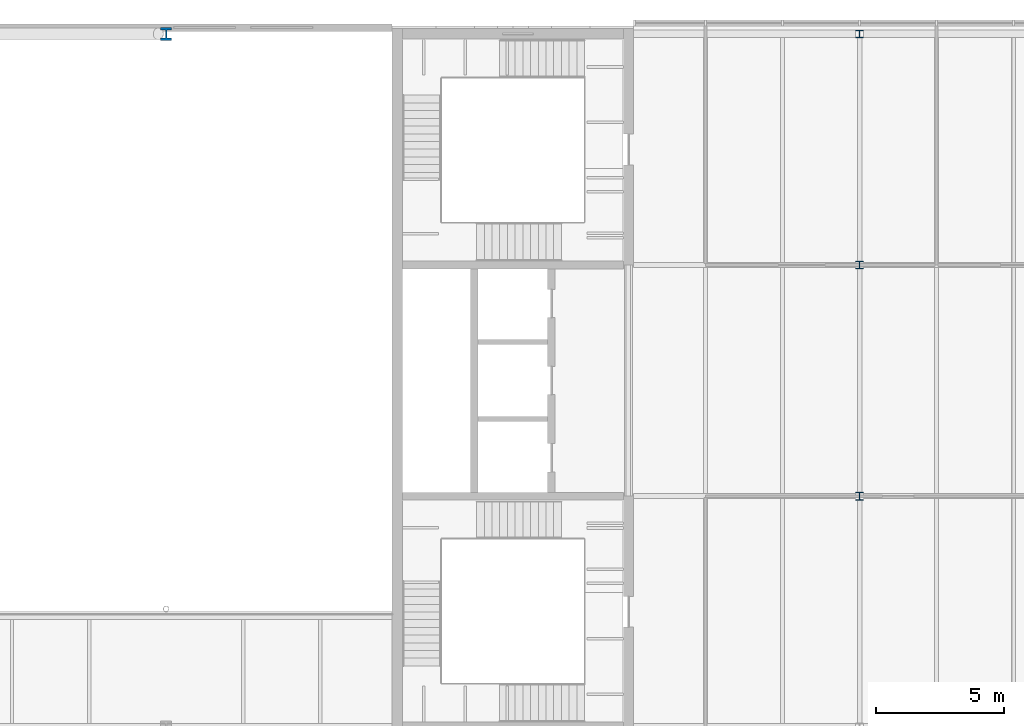
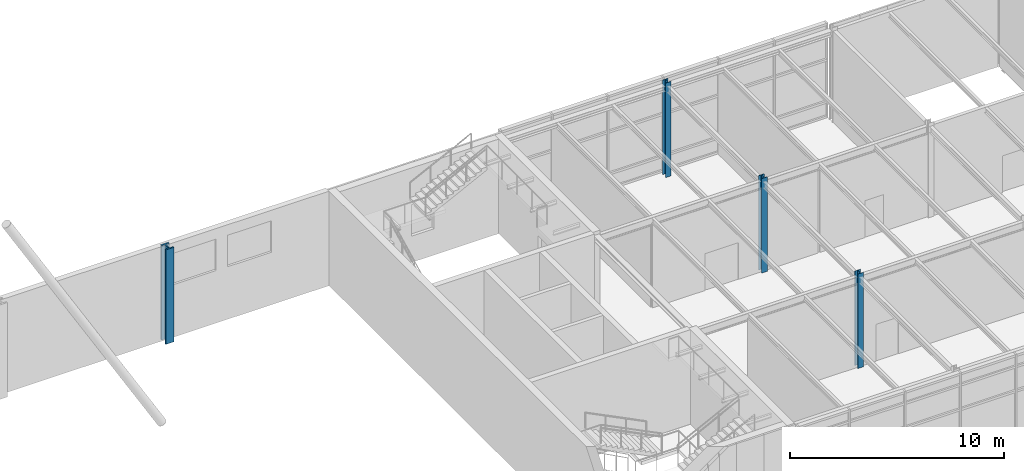
# One storey, part 7 of 46: 4 columns.
"""IFC4 building model written with IfcOpenShell, lengths in metres."""

from ifc_helpers import new_model, si_unit, direction, frame, origin, origin_2d, place, context, subcontext, project, spatial, i_section, extrude, material, material_profile, profile_set, type_object, element, save


model = new_model("IFC4")

# Units and contexts
model_context = context("Model", 3, precision=1e-05, world=origin(), true_north=direction((0.0, 1.0)))
body_context = subcontext(model_context, "Body", "Model", "MODEL_VIEW")
ifc_project = project(units=[si_unit("LENGTHUNIT", "METRE"), si_unit("AREAUNIT", "SQUARE_METRE"), si_unit("VOLUMEUNIT", "CUBIC_METRE"), si_unit("PLANEANGLEUNIT", "RADIAN"), si_unit("MASSUNIT", "GRAM", prefix="KILO")], contexts=[model_context])

# Site, building, storey
site_placement = place(None, origin())
site = spatial("IfcSite", under=ifc_project, at=site_placement, CompositionType="ELEMENT")
building_placement = place(site_placement, origin())
building = spatial("IfcBuilding", under=site, at=building_placement, Name="Azimuth Sports and Learning Centre", CompositionType="ELEMENT")
storey_placement = place(building_placement, frame((0.0, 0.0, 21.60009765625)))
storey = spatial("IfcBuildingStorey", under=building, at=storey_placement, Name="L04", CompositionType="ELEMENT", Elevation=21.60009765625)

# Columns
ifc_material_1 = material(Name="Steel S460", Category="steel")
ifc_material_profile_1 = material_profile(ifc_material_1, i_section(OverallWidth=0.431884765625, OverallDepth=0.498046875, WebThickness=0.0556640625, FlangeThickness=0.0888671875, FilletRadius=0.014892578125, at=origin_2d()), Name="HD 400x744")
ifc_profile_set_1 = profile_set([ifc_material_profile_1], Name="Steel S460")
column_type_1 = type_object("IfcColumnType", Name="Column HD 400x744", PredefinedType="COLUMN", material=ifc_profile_set_1)
column_placement = place(storey_placement, frame((99.0, 117.0, 0.0), z_axis=(0.0, 0.0, 1.0), x_axis=(1.0, 0.0, 0.0)))
element("IfcColumn", 1, at=column_placement, inside=storey, type_object=column_type_1, Name="Column 12P L04", PredefinedType="COLUMN", context=body_context, shape_type="SweptSolid", body=[
    extrude(i_section(OverallWidth=0.431884765625, OverallDepth=0.498046875, WebThickness=0.0556640625, FlangeThickness=0.0888671875, FilletRadius=0.014892578125, at=origin_2d()), origin(), (0.0, 0.0, 1.0), 5.39990234375),
])
ifc_material_2 = material(Name="Steel S355", Category="steel")
ifc_material_profile_2 = material_profile(ifc_material_2, i_section(OverallWidth=0.300048828125, OverallDepth=0.300048828125, WebThickness=0.010986328125, FlangeThickness=0.01904296875, FilletRadius=0.027099609375, at=origin_2d()), Name="HEB 300")
ifc_profile_set_2 = profile_set([ifc_material_profile_2], Name="Steel S355")
column_type_2 = type_object("IfcColumnType", Name="Column HEB 300", PredefinedType="COLUMN", material=ifc_profile_set_2)
for number, where, z_axis, x_axis, name in (
    (2, (126.0, 99.0, 0.0), (0.0, 0.0, 1.0), (1.0, 0.0, 0.0), "Column 15M L04"),
    (3, (126.0, 108.0, 0.0), (0.0, 0.0, 1.0), (1.0, 0.0, 0.0), "Column 15N L04"),
    (4, (126.0, 117.0, 0.0), (0.0, 0.0, 1.0), (1.0, 0.0, 0.0), "Column 15P L04"),
):
    element("IfcColumn", number, at=place(storey_placement, frame(where, z_axis=z_axis, x_axis=x_axis)), inside=storey, type_object=column_type_2, Name=name, PredefinedType="COLUMN", context=body_context, shape_type="SweptSolid", body=[
        extrude(i_section(OverallWidth=0.300048828125, OverallDepth=0.300048828125, WebThickness=0.010986328125, FlangeThickness=0.01904296875, FilletRadius=0.027099609375, at=origin_2d()), origin(), (0.0, 0.0, 1.0), 5.39990234375),
    ])

save(model, "model.ifc")
